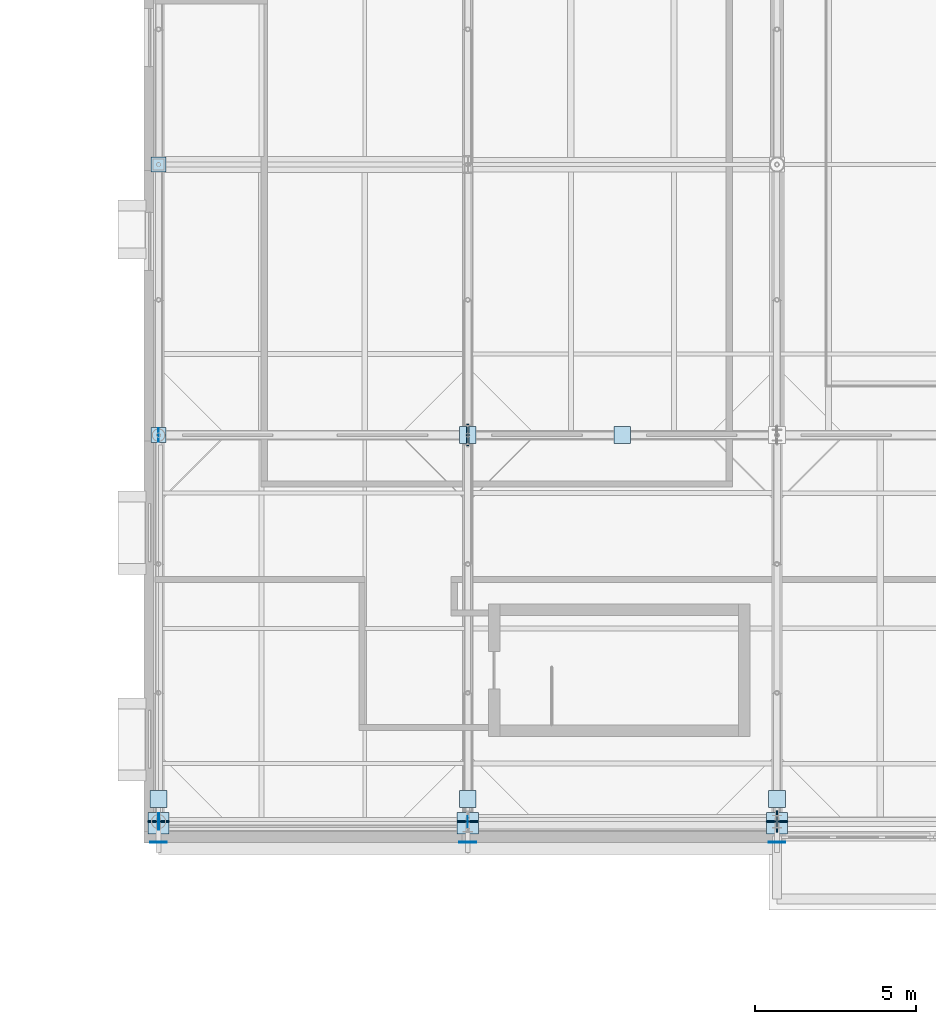
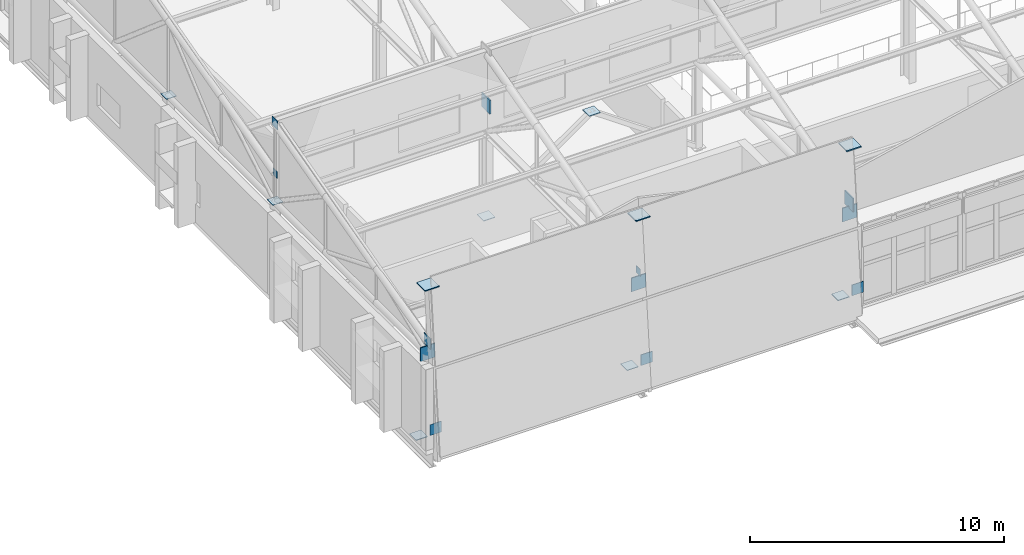
# One storey, part 68 of 89: 22 plates.
"""IFC4 building model written with IfcOpenShell, lengths in metres."""

from ifc_helpers import new_model, si_unit, direction, frame, origin, origin_2d, place, context, subcontext, project, spatial, rectangle, extrude, material, layer, layer_set, type_object, element, save


model = new_model("IFC4")

# Units and contexts
model_context = context("Model", 3, precision=1e-05, world=origin(), true_north=direction((0.0, 1.0)))
body_context = subcontext(model_context, "Body", "Model", "MODEL_VIEW")
ifc_project = project(units=[si_unit("LENGTHUNIT", "METRE"), si_unit("AREAUNIT", "SQUARE_METRE"), si_unit("VOLUMEUNIT", "CUBIC_METRE"), si_unit("PLANEANGLEUNIT", "RADIAN"), si_unit("MASSUNIT", "GRAM", prefix="KILO")], contexts=[model_context])

# Site, building, storey
site_placement = place(None, origin())
site = spatial("IfcSite", under=ifc_project, at=site_placement, CompositionType="ELEMENT")
building_placement = place(site_placement, origin())
building = spatial("IfcBuilding", under=site, at=building_placement, Name="Zereglee Splitstone Museum", CompositionType="ELEMENT")
storey_placement = place(building_placement, frame((0.0, 0.0, 21.300048828125)))
storey = spatial("IfcBuildingStorey", under=building, at=storey_placement, Name="L04", CompositionType="ELEMENT", Elevation=21.300048828125)

# Plates
ifc_material = material(Name="Steel S355J2", Category="steel")
ifc_layer_1 = layer(ifc_material, 0.02001953125)
ifc_layer_set_1 = layer_set([ifc_layer_1], Name="Steel S355J2")
plate_type_1 = type_object("IfcPlateType", Name="EC-01", PredefinedType="SHEET", material=ifc_layer_set_1)
for number, where, z_axis, x_axis, name in (
    (1, (78.0, 21.60009765625, 4.199951171875), (0.0, 0.0, 1.0), (1.0, 0.0, 0.0), "Hollow Column End-Cap Plate EC-01 (78.0,21.6)"),
    (2, (78.0, 30.0, 4.199951171875), (0.0, 0.0, 1.0), (1.0, 0.0, 0.0), "Hollow Column End-Cap Plate EC-01 (78.0,30.0)"),
):
    element("IfcPlate", number, at=place(storey_placement, frame(where, z_axis=z_axis, x_axis=x_axis)), inside=storey, type_object=plate_type_1, Name=name, PredefinedType="SHEET", context=body_context, shape_type="SweptSolid", body=[
        extrude(rectangle(XDim=0.4599609375, YDim=0.4599609375, at=origin_2d()), origin(), (0.0, 0.0, 1.0), 0.02001953125),
    ])
ifc_layer_2 = layer(ifc_material, 0.011962890625)
ifc_layer_set_2 = layer_set([ifc_layer_2], Name="Steel S355J2")
plate_type_2 = type_object("IfcPlateType", Name="NP-06", PredefinedType="SHEET", material=ifc_layer_set_2)
for number, where, z_axis, x_axis, name in (
    (3, (78.0, 21.60009765625, 5.3798828125), (0.0, 0.0, 1.0), (1.0, 0.0, 0.0), "Sawtooth Truss Node Plate TN-01-2.0"),
    (4, (87.60009765625, 9.60009765625, 4.580078125), (0.0, 0.0, 1.0), (1.0, 0.0, 0.0), "Sawtooth Truss Node Plate TN-02-1.0"),
):
    element("IfcPlate", number, at=place(storey_placement, frame(where, z_axis=z_axis, x_axis=x_axis)), inside=storey, type_object=plate_type_2, Name=name, PredefinedType="SHEET", context=body_context, shape_type="SweptSolid", body=[
        extrude(rectangle(XDim=0.011962890625, YDim=0.340087890625, at=origin_2d()), origin(), (0.0, 0.0, 1.0), 0.340087890625),
    ])
ifc_layer_3 = layer(ifc_material, 0.02001953125)
ifc_layer_set_3 = layer_set([ifc_layer_3], Name="Steel S355J2")
plate_type_3 = type_object("IfcPlateType", Name="NP-05", PredefinedType="SHEET", material=ifc_layer_set_3)
plate_1_placement = place(storey_placement, frame((78.0, 21.60009765625, 7.739990234375), z_axis=(0.0, 0.0, 1.0), x_axis=(1.0, 0.0, 0.0)))
element("IfcPlate", 5, at=plate_1_placement, inside=storey, type_object=plate_type_3, Name="Sawtooth Truss Node Plate TN-01-1.3", PredefinedType="SHEET", context=body_context, shape_type="SweptSolid", body=[
    extrude(rectangle(XDim=0.02001953125, YDim=0.419921875, at=origin_2d()), origin(), (0.0, 0.0, 1.0), 0.419921875),
])
ifc_layer_4 = layer(ifc_material, 0.030029296875)
ifc_layer_set_4 = layer_set([ifc_layer_4], Name="Steel S355J2")
plate_type_4 = type_object("IfcPlateType", Name="NP-04", PredefinedType="SHEET", material=ifc_layer_set_4)
plate_2_placement = place(storey_placement, frame((78.0, 9.60009765625, 4.489990234375), z_axis=(0.0, 0.0, 1.0), x_axis=(1.0, 0.0, 0.0)))
element("IfcPlate", 6, at=plate_2_placement, inside=storey, type_object=plate_type_4, Name="Sawtooth Truss Node Plate TN-01-1.0", PredefinedType="SHEET", context=body_context, shape_type="SweptSolid", body=[
    extrude(rectangle(XDim=0.030029296875, YDim=0.52001953125, at=origin_2d()), origin(), (0.0, 0.0, 1.0), 0.52001953125),
])
for number, where, z_axis, x_axis, name in (
    (7, (87.60009765625, 21.60009765625, 0.10498046875), (0.0, 0.0, 1.0), (1.0, 0.0, 0.0), "CBF Brace Gusset Cap L04-009"),
    (8, (92.39990234375, 21.60009765625, 3.46484375), (0.0, 0.0, 1.0), (1.0, 0.0, 0.0), "CBF Brace Gusset Cap L04-009"),
    (9, (78.0, 10.300048828125, -0.23486328125), (0.0, 0.0, 1.0), (1.0, 0.0, 0.0), "Facet Tie Seal Plate FH-V2SW"),
):
    element("IfcPlate", number, at=place(storey_placement, frame(where, z_axis=z_axis, x_axis=x_axis)), inside=storey, type_object=plate_type_4, Name=name, PredefinedType="SHEET", context=body_context, shape_type="SweptSolid", body=[
        extrude(rectangle(XDim=0.52001953125, YDim=0.52001953125, at=origin_2d()), origin(), (0.0, 0.0, 1.0), 0.030029296875),
    ])
plate_3_placement = place(storey_placement, frame((78.0, 8.95556640625, 0.679931640625), z_axis=(0.0, 0.0, 1.0), x_axis=(1.0, 0.0, 0.0)))
element("IfcPlate", 10, at=plate_3_placement, inside=storey, type_object=plate_type_4, Name="Facet Tie Seal Plate FH-V2SW", PredefinedType="SHEET", context=body_context, shape_type="SweptSolid", body=[
    extrude(rectangle(XDim=0.52001953125, YDim=0.030029296875, at=origin_2d()), origin(), (0.0, 0.0, 1.0), 0.52001953125),
])
plate_4_placement = place(storey_placement, frame((87.60009765625, 10.300048828125, -0.23486328125), z_axis=(0.0, 0.0, 1.0), x_axis=(1.0, 0.0, 0.0)))
element("IfcPlate", 11, at=plate_4_placement, inside=storey, type_object=plate_type_4, Name="Facet Tie Seal Plate FH-V2SW", PredefinedType="SHEET", context=body_context, shape_type="SweptSolid", body=[
    extrude(rectangle(XDim=0.52001953125, YDim=0.52001953125, at=origin_2d()), origin(), (0.0, 0.0, 1.0), 0.030029296875),
])
plate_5_placement = place(storey_placement, frame((87.60009765625, 8.95556640625, 0.679931640625), z_axis=(0.0, 0.0, 1.0), x_axis=(1.0, 0.0, 0.0)))
element("IfcPlate", 12, at=plate_5_placement, inside=storey, type_object=plate_type_4, Name="Facet Tie Seal Plate FH-V2SW", PredefinedType="SHEET", context=body_context, shape_type="SweptSolid", body=[
    extrude(rectangle(XDim=0.52001953125, YDim=0.030029296875, at=origin_2d()), origin(), (0.0, 0.0, 1.0), 0.52001953125),
])
plate_6_placement = place(storey_placement, frame((97.199951171875, 10.300048828125, -0.23486328125), z_axis=(0.0, 0.0, 1.0), x_axis=(1.0, 0.0, 0.0)))
element("IfcPlate", 13, at=plate_6_placement, inside=storey, type_object=plate_type_4, Name="Facet Tie Seal Plate FH-V2SW", PredefinedType="SHEET", context=body_context, shape_type="SweptSolid", body=[
    extrude(rectangle(XDim=0.52001953125, YDim=0.52001953125, at=origin_2d()), origin(), (0.0, 0.0, 1.0), 0.030029296875),
])
plate_7_placement = place(storey_placement, frame((97.199951171875, 8.95556640625, 0.679931640625), z_axis=(0.0, 0.0, 1.0), x_axis=(1.0, 0.0, 0.0)))
element("IfcPlate", 14, at=plate_7_placement, inside=storey, type_object=plate_type_4, Name="Facet Tie Seal Plate FH-V2SW", PredefinedType="SHEET", context=body_context, shape_type="SweptSolid", body=[
    extrude(rectangle(XDim=0.52001953125, YDim=0.030029296875, at=origin_2d()), origin(), (0.0, 0.0, 1.0), 0.52001953125),
])
ifc_layer_5 = layer(ifc_material, 0.050048828125)
ifc_layer_set_5 = layer_set([ifc_layer_5], Name="Steel S355J2")
plate_type_5 = type_object("IfcPlateType", Name="NP-02", PredefinedType="SHEET", material=ifc_layer_set_5)
plate_8_placement = place(storey_placement, frame((78.0, 9.60009765625, 3.8701171875), z_axis=(0.0, 0.0, 1.0), x_axis=(1.0, 0.0, 0.0)))
element("IfcPlate", 15, at=plate_8_placement, inside=storey, type_object=plate_type_5, Name="Sawtooth Bottom Chord End Cap ST-01", PredefinedType="SHEET", context=body_context, shape_type="SweptSolid", body=[
    extrude(rectangle(XDim=0.659912109375, YDim=0.050048828125, at=origin_2d()), origin(), (0.0, 0.0, 1.0), 0.659912109375),
])
plate_9_placement = place(storey_placement, frame((87.60009765625, 21.60009765625, 5.22021484375), z_axis=(0.0, 0.0, 1.0), x_axis=(1.0, 0.0, 0.0)))
element("IfcPlate", 16, at=plate_9_placement, inside=storey, type_object=plate_type_5, Name="Sawtooth Truss Node Plate TN-02-2.0", PredefinedType="SHEET", context=body_context, shape_type="SweptSolid", body=[
    extrude(rectangle(XDim=0.050048828125, YDim=0.659912109375, at=origin_2d()), origin(), (0.0, 0.0, 1.0), 0.659912109375),
])
plate_10_placement = place(storey_placement, frame((87.60009765625, 9.60009765625, 3.8701171875), z_axis=(0.0, 0.0, 1.0), x_axis=(1.0, 0.0, 0.0)))
element("IfcPlate", 17, at=plate_10_placement, inside=storey, type_object=plate_type_5, Name="Sawtooth Bottom Chord End Cap ST-02", PredefinedType="SHEET", context=body_context, shape_type="SweptSolid", body=[
    extrude(rectangle(XDim=0.659912109375, YDim=0.050048828125, at=origin_2d()), origin(), (0.0, 0.0, 1.0), 0.659912109375),
])
plate_11_placement = place(storey_placement, frame((97.199951171875, 9.60009765625, 4.419921875), z_axis=(0.0, 0.0, 1.0), x_axis=(1.0, 0.0, 0.0)))
element("IfcPlate", 18, at=plate_11_placement, inside=storey, type_object=plate_type_5, Name="Sawtooth Truss Node Plate TN-03-1.0", PredefinedType="SHEET", context=body_context, shape_type="SweptSolid", body=[
    extrude(rectangle(XDim=0.050048828125, YDim=0.659912109375, at=origin_2d()), origin(), (0.0, 0.0, 1.0), 0.659912109375),
])
plate_12_placement = place(storey_placement, frame((97.199951171875, 9.60009765625, 3.8701171875), z_axis=(0.0, 0.0, 1.0), x_axis=(1.0, 0.0, 0.0)))
element("IfcPlate", 19, at=plate_12_placement, inside=storey, type_object=plate_type_5, Name="Sawtooth Bottom Chord End Cap ST-03", PredefinedType="SHEET", context=body_context, shape_type="SweptSolid", body=[
    extrude(rectangle(XDim=0.659912109375, YDim=0.050048828125, at=origin_2d()), origin(), (0.0, 0.0, 1.0), 0.659912109375),
])
for number, where, z_axis, x_axis, name in (
    (20, (78.0, 9.552490234375, 7.455078125), (0.0, 0.0, 1.0), (1.0, 0.0, 0.0), "Facet Strut Seal Plate FH-V2SW"),
    (21, (87.60009765625, 9.552490234375, 7.455078125), (0.0, 0.0, 1.0), (1.0, 0.0, 0.0), "Facet Strut Seal Plate FH-V2SW"),
    (22, (97.199951171875, 9.552490234375, 7.455078125), (0.0, 0.0, 1.0), (1.0, 0.0, 0.0), "Facet Strut Seal Plate FH-V2SW"),
):
    element("IfcPlate", number, at=place(storey_placement, frame(where, z_axis=z_axis, x_axis=x_axis)), inside=storey, type_object=plate_type_5, Name=name, PredefinedType="SHEET", context=body_context, shape_type="SweptSolid", body=[
        extrude(rectangle(XDim=0.659912109375, YDim=0.659912109375, at=origin_2d()), origin(), (0.0, 0.0, 1.0), 0.050048828125),
    ])

save(model, "model.ifc")
